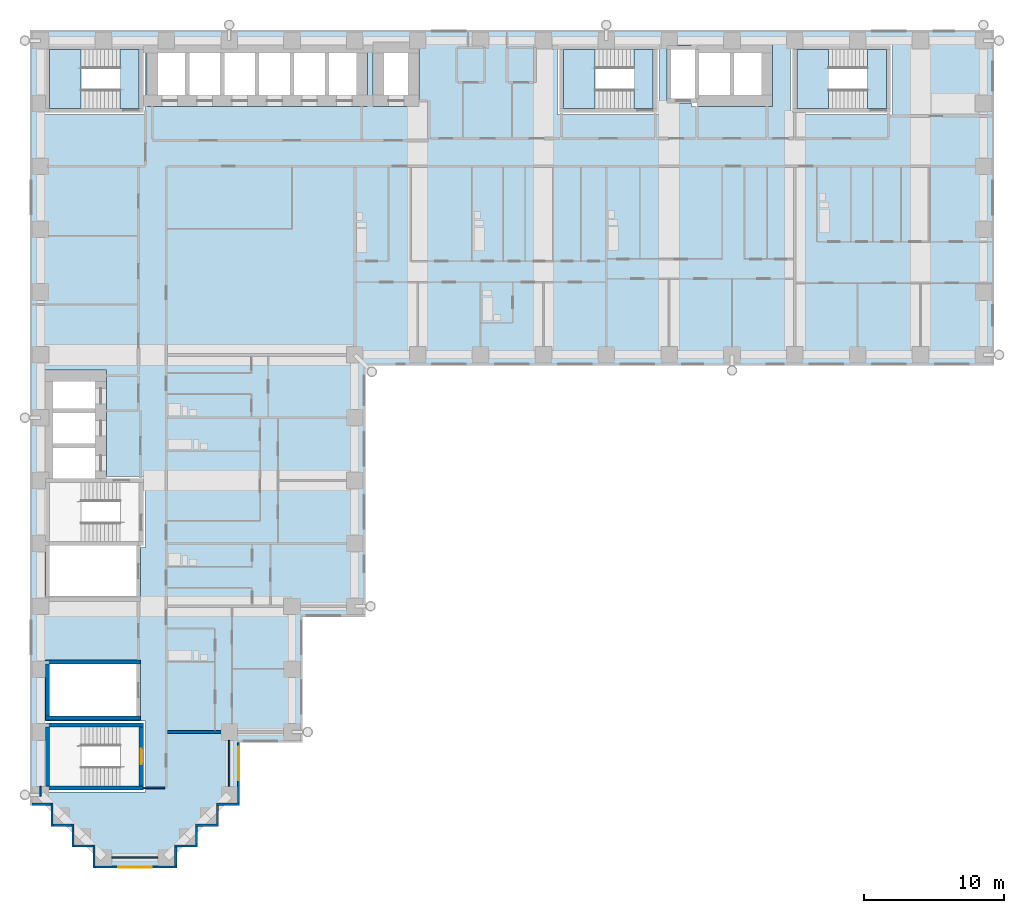
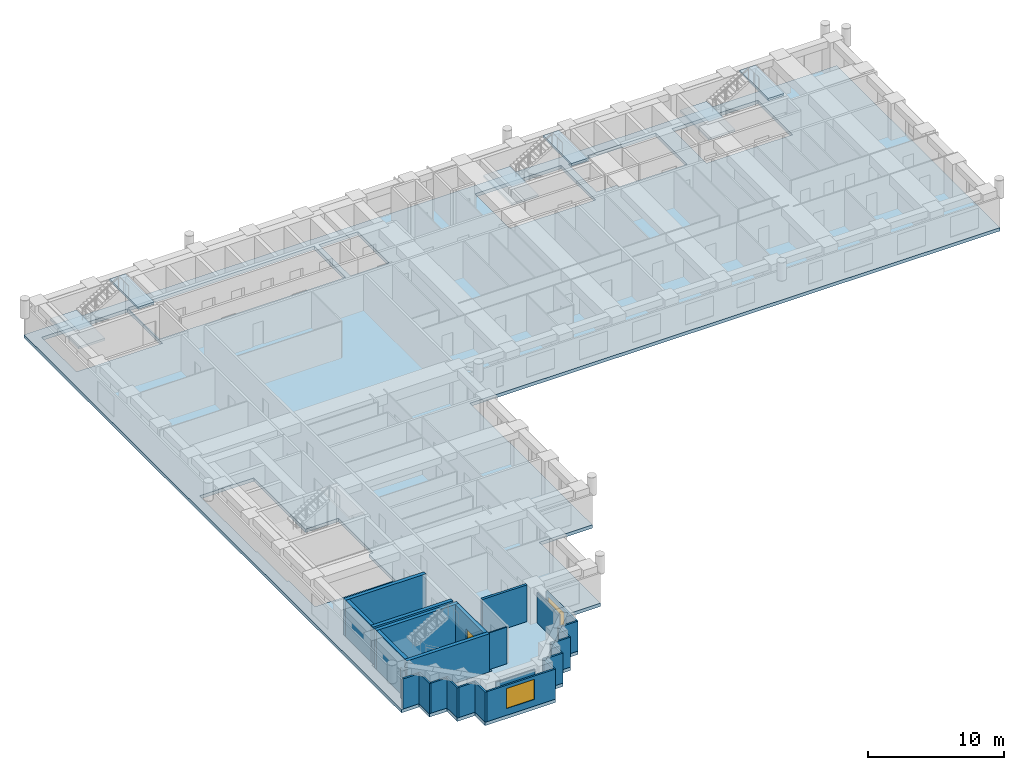
# One storey, part 4 of 14: 26 walls, 7 slabs, 2 windows, 1 door, 3 openings, 3 elements without a shape of their own.
"""IFC4 building model written with IfcOpenShell, lengths in metres."""

from ifc_helpers import new_model, si_unit, direction, frame, frame_2d, origin, place, context, subcontext, project, spatial, polyline, rectangle, outline, extrude, material, layer, layer_set, type_object, element, fill, aggregate, save


model = new_model("IFC4")

# Units and contexts
model_context = context("Model", 3, precision=1e-05, world=origin(), true_north=direction((0.0, 1.0)))
body_context = subcontext(model_context, "Body", "Model", "MODEL_VIEW")
ifc_project = project(units=[si_unit("LENGTHUNIT", "METRE"), si_unit("AREAUNIT", "SQUARE_METRE"), si_unit("VOLUMEUNIT", "CUBIC_METRE"), si_unit("PLANEANGLEUNIT", "RADIAN"), si_unit("MASSUNIT", "GRAM", prefix="KILO")], contexts=[model_context])

# Site, building, storey
site_placement = place(None, origin())
site = spatial("IfcSite", under=ifc_project, at=site_placement, CompositionType="ELEMENT")
building_placement = place(site_placement, origin())
building = spatial("IfcBuilding", under=site, at=building_placement, Name="Firuza Court", CompositionType="ELEMENT")
storey_placement = place(building_placement, frame((0.0, 0.0, 47.0)))
storey = spatial("IfcBuildingStorey", under=building, at=storey_placement, Name="L10", CompositionType="ELEMENT", Elevation=47.0)

# Slab
ifc_material_1 = material(Name="Concrete C40/50", Category="concrete")
ifc_layer_1 = layer(ifc_material_1, 0.300048828125)
ifc_layer_set_1 = layer_set([ifc_layer_1], Name="Concrete C40/50")
slab_type_1 = type_object("IfcSlabType", Name="Floor slab 300 C40/50", PredefinedType="FLOOR", material=ifc_layer_set_1)
slab_1_placement = place(storey_placement, frame((0.0, 0.0, -0.300048828125)))
element("IfcSlab", 1, at=slab_1_placement, inside=storey, type_object=slab_type_1, Name="Floor slab L10", PredefinedType="FLOOR", context=body_context, shape_type="SweptSolid", body=[
    extrude(outline(polyline([(3.75, -0.75), (3.75, 0.75), (2.25, 0.75), (2.25, 2.25), (0.75, 2.25), (0.75, 3.75), (-0.75, 3.75), (-0.75, 59.25), (68.25, 59.25), (68.25, 35.25), (23.25, 35.25), (23.25, 17.25), (18.75, 17.25), (18.75, 8.25), (14.25, 8.25), (14.25, 3.75), (12.75, 3.75), (12.75, 2.25), (11.25, 2.25), (11.25, 0.75), (9.75, 0.75), (9.75, -0.75), (3.75, -0.75)]), holes=[polyline([(7.5, 9.800048828125), (0.199951171875, 9.800048828125), (0.199951171875, 4.699951171875), (7.5, 4.699951171875), (7.5, 9.800048828125)]), polyline([(7.14990234375, 14.14990234375), (0.35009765625, 14.14990234375), (0.35009765625, 9.85009765625), (7.14990234375, 9.85009765625), (7.14990234375, 14.14990234375)]), polyline([(0.199951171875, 22.199951171875), (0.35009765625, 22.199951171875), (0.35009765625, 18.35009765625), (7.14990234375, 18.35009765625), (7.14990234375, 22.199951171875), (7.5, 22.199951171875), (7.5, 27.300048828125), (4.699951171875, 27.300048828125), (4.699951171875, 29.10009765625), (4.699951171875, 29.89990234375), (4.699951171875, 31.60009765625), (4.699951171875, 32.39990234375), (4.699951171875, 34.89990234375), (0.10009765625, 34.89990234375), (0.10009765625, 32.39990234375), (0.10009765625, 31.60009765625), (0.10009765625, 29.89990234375), (0.10009765625, 29.10009765625), (0.10009765625, 26.60009765625), (0.199951171875, 26.60009765625), (0.199951171875, 22.199951171875)]), polyline([(7.5, 58.300048828125), (0.199951171875, 58.300048828125), (0.199951171875, 53.199951171875), (7.5, 53.199951171875), (7.5, 58.300048828125)]), polyline([(10.10009765625, 58.39990234375), (7.60009765625, 58.39990234375), (7.60009765625, 53.800048828125), (10.10009765625, 53.800048828125), (10.89990234375, 53.800048828125), (12.60009765625, 53.800048828125), (13.39990234375, 53.800048828125), (15.10009765625, 53.800048828125), (15.89990234375, 53.800048828125), (17.60009765625, 53.800048828125), (18.39990234375, 53.800048828125), (20.10009765625, 53.800048828125), (20.89990234375, 53.800048828125), (23.39990234375, 53.800048828125), (23.39990234375, 58.39990234375), (20.89990234375, 58.39990234375), (20.10009765625, 58.39990234375), (18.39990234375, 58.39990234375), (17.60009765625, 58.39990234375), (15.89990234375, 58.39990234375), (15.10009765625, 58.39990234375), (13.39990234375, 58.39990234375), (12.60009765625, 58.39990234375), (10.89990234375, 58.39990234375), (10.10009765625, 58.39990234375)]), polyline([(44.300048828125, 58.300048828125), (37.0, 58.300048828125), (37.0, 53.199951171875), (44.300048828125, 53.199951171875), (44.300048828125, 58.300048828125)]), polyline([(61.0, 58.300048828125), (53.699951171875, 58.300048828125), (53.699951171875, 53.199951171875), (61.0, 53.199951171875), (61.0, 58.300048828125)]), polyline([(27.10009765625, 58.39990234375), (23.800048828125, 58.39990234375), (23.800048828125, 53.800048828125), (27.10009765625, 53.800048828125), (27.10009765625, 58.39990234375)]), polyline([(46.60009765625, 58.14990234375), (44.85009765625, 58.14990234375), (44.85009765625, 54.050048828125), (46.60009765625, 54.050048828125), (46.60009765625, 53.800048828125), (49.10009765625, 53.800048828125), (49.89990234375, 53.800048828125), (52.39990234375, 53.800048828125), (52.39990234375, 58.39990234375), (49.89990234375, 58.39990234375), (49.10009765625, 58.39990234375), (46.60009765625, 58.39990234375), (46.60009765625, 58.14990234375)])]), origin(), (0.0, 0.0, 1.0), 0.300048828125),
])

# Stair, slabs
ifc_material_2 = material(Name="Concrete C40/50 precast", Category="concrete")
stair_type = type_object("IfcStairType", Name="Stair 1350 x 3600 2 flights", PredefinedType="HALF_TURN_STAIR", material=ifc_material_2)
stair_1_placement = place(storey_placement, origin())
stair_1 = element("IfcStair", 2, at=stair_1_placement, inside=storey, type_object=stair_type, Name="Stair 1 L10", PredefinedType="HALF_TURN_STAIR")
ifc_material_3 = material(Name="Concrete C40/50 precast", Category="concrete")
ifc_layer_2 = layer(ifc_material_3, 0.199951171875)
ifc_layer_set_2 = layer_set([ifc_layer_2], Name="Concrete C40/50 precast")
slab_type_2 = type_object("IfcSlabType", Name="Stair landing 200", PredefinedType="LANDING", material=ifc_layer_set_2)
slab_2_placement = place(storey_placement, frame((0.0, 0.0, 1.60009765625)))
slab_2 = element("IfcSlab", 3, at=slab_2_placement, type_object=slab_type_2, Name="S1 landing 1", PredefinedType="LANDING", context=body_context, shape_type="SweptSolid", body=[
    extrude(outline(polyline([(39.699951171875, 53.64990234375), (39.699951171875, 57.85009765625), (37.449951171875, 57.85009765625), (37.449951171875, 53.64990234375), (39.699951171875, 53.64990234375)])), origin(), (0.0, 0.0, 1.0), 0.199951171875),
])
slab_3_placement = place(storey_placement, frame((0.0, 0.0, 3.39990234375)))
slab_3 = element("IfcSlab", 4, at=slab_3_placement, type_object=slab_type_2, Name="S1 landing 2", PredefinedType="LANDING", context=body_context, shape_type="SweptSolid", body=[
    extrude(outline(polyline([(43.85009765625, 53.64990234375), (43.85009765625, 57.85009765625), (42.5, 57.85009765625), (42.5, 53.64990234375), (43.85009765625, 53.64990234375)])), origin(), (0.0, 0.0, 1.0), 0.2001953125),
])
aggregate(stair_1, [slab_2, slab_3])

stair_2_placement = place(storey_placement, origin())
stair_2 = element("IfcStair", 5, at=stair_2_placement, inside=storey, type_object=stair_type, Name="Stair 3 L10", PredefinedType="HALF_TURN_STAIR")
slab_4_placement = place(storey_placement, frame((0.0, 0.0, 1.60009765625)))
slab_4 = element("IfcSlab", 6, at=slab_4_placement, type_object=slab_type_2, Name="S3 landing 1", PredefinedType="LANDING", context=body_context, shape_type="SweptSolid", body=[
    extrude(outline(polyline([(2.89990234375, 53.64990234375), (2.89990234375, 57.85009765625), (0.64990234375, 57.85009765625), (0.64990234375, 53.64990234375), (2.89990234375, 53.64990234375)])), origin(), (0.0, 0.0, 1.0), 0.199951171875),
])
slab_5_placement = place(storey_placement, frame((0.0, 0.0, 3.39990234375)))
slab_5 = element("IfcSlab", 7, at=slab_5_placement, type_object=slab_type_2, Name="S3 landing 2", PredefinedType="LANDING", context=body_context, shape_type="SweptSolid", body=[
    extrude(outline(polyline([(7.050048828125, 53.64990234375), (7.050048828125, 57.85009765625), (5.699951171875, 57.85009765625), (5.699951171875, 53.64990234375), (7.050048828125, 53.64990234375)])), origin(), (0.0, 0.0, 1.0), 0.2001953125),
])
aggregate(stair_2, [slab_4, slab_5])

stair_3_placement = place(storey_placement, origin())
stair_3 = element("IfcStair", 8, at=stair_3_placement, inside=storey, type_object=stair_type, Name="Stair 4 L10", PredefinedType="HALF_TURN_STAIR")
slab_6_placement = place(storey_placement, frame((0.0, 0.0, 1.60009765625)))
slab_6 = element("IfcSlab", 9, at=slab_6_placement, type_object=slab_type_2, Name="S4 landing 1", PredefinedType="LANDING", context=body_context, shape_type="SweptSolid", body=[
    extrude(outline(polyline([(56.39990234375, 53.64990234375), (56.39990234375, 57.85009765625), (54.14990234375, 57.85009765625), (54.14990234375, 53.64990234375), (56.39990234375, 53.64990234375)])), origin(), (0.0, 0.0, 1.0), 0.199951171875),
])
slab_7_placement = place(storey_placement, frame((0.0, 0.0, 3.39990234375)))
slab_7 = element("IfcSlab", 10, at=slab_7_placement, type_object=slab_type_2, Name="S4 landing 2", PredefinedType="LANDING", context=body_context, shape_type="SweptSolid", body=[
    extrude(outline(polyline([(60.550048828125, 53.64990234375), (60.550048828125, 57.85009765625), (59.199951171875, 57.85009765625), (59.199951171875, 53.64990234375), (60.550048828125, 53.64990234375)])), origin(), (0.0, 0.0, 1.0), 0.2001953125),
])
aggregate(stair_3, [slab_6, slab_7])

# Walls
ifc_material_4 = material(Name="Concrete C60/75", Category="concrete")
ifc_layer_3 = layer(ifc_material_4, 0.300048828125)
ifc_layer_set_3 = layer_set([ifc_layer_3], Name="Concrete C60/75")
wall_type_1 = type_object("IfcWallType", Name="Core wall 300 C60/75", PredefinedType="SHEAR", material=ifc_layer_set_3)
for number, where, z_axis, x_axis, name in (
    (11, (0.35009765625, 5.0, -0.300048828125), (0.0, 0.0, 1.0), (1.0, 0.0, 0.0), "Core wall stair L10"),
    (12, (0.35009765625, 9.5, -0.300048828125), (0.0, 0.0, 1.0), (1.0, 0.0, 0.0), "Core wall stair L10"),
):
    element("IfcWall", number, at=place(storey_placement, frame(where, z_axis=z_axis, x_axis=x_axis)), inside=storey, type_object=wall_type_1, Name=name, PredefinedType="SHEAR", context=body_context, shape_type="SweptSolid", body=[
        extrude(rectangle(XDim=7.0, YDim=0.300048828125, at=frame_2d((3.5, 0.0))), origin(), (0.0, 0.0, 1.0), 3.60009765625),
    ])
for number, where, z_axis, x_axis, name in (
    (13, (0.35009765625, 10.0, -0.300048828125), (0.0, 0.0, 1.0), (1.0, 0.0, 0.0), "Core wall riser L10"),
    (14, (0.35009765625, 14.0, -0.300048828125), (0.0, 0.0, 1.0), (1.0, 0.0, 0.0), "Core wall riser L10"),
):
    element("IfcWall", number, at=place(storey_placement, frame(where, z_axis=z_axis, x_axis=x_axis)), inside=storey, type_object=wall_type_1, Name=name, PredefinedType="SHEAR", context=body_context, shape_type="SweptSolid", body=[
        extrude(rectangle(XDim=6.7998046875, YDim=0.300048828125, at=frame_2d((3.39990234375, 0.0))), origin(), (0.0, 0.0, 1.0), 3.60009765625),
    ])
wall_1_placement = place(storey_placement, frame((0.5, 5.14990234375, -0.300048828125), z_axis=(0.0, 0.0, 1.0), x_axis=(0.0, 1.0, 0.0)))
element("IfcWall", 15, at=wall_1_placement, inside=storey, type_object=wall_type_1, Name="Core wall stair L10", PredefinedType="SHEAR", context=body_context, shape_type="SweptSolid", body=[
    extrude(rectangle(XDim=4.2001953125, YDim=0.300048828125, at=frame_2d((2.10009765625, 0.0))), origin(), (0.0, 0.0, 1.0), 3.60009765625),
])
wall_2_placement = place(storey_placement, frame((0.5, 10.14990234375, -0.300048828125), z_axis=(0.0, 0.0, 1.0), x_axis=(0.0, 1.0, 0.0)))
element("IfcWall", 16, at=wall_2_placement, inside=storey, type_object=wall_type_1, Name="Core wall riser L10", PredefinedType="SHEAR", context=body_context, shape_type="SweptSolid", body=[
    extrude(rectangle(XDim=3.7001953125, YDim=0.300048828125, at=frame_2d((1.85009765625, 0.0))), origin(), (0.0, 0.0, 1.0), 3.60009765625),
])

# Wall, opening, door
wall_3_placement = place(storey_placement, frame((7.199951171875, 5.14990234375, -0.300048828125), z_axis=(0.0, 0.0, 1.0), x_axis=(0.0, 1.0, 0.0)))
wall_3 = element("IfcWall", 17, at=wall_3_placement, inside=storey, type_object=wall_type_1, Name="Core wall stair L10", PredefinedType="SHEAR", context=body_context, shape_type="SweptSolid", body=[
    extrude(rectangle(XDim=4.2001953125, YDim=0.300048828125, at=frame_2d((2.10009765625, 0.0))), origin(), (0.0, 0.0, 1.0), 3.60009765625),
])
opening_1_placement = place(wall_3_placement, frame((1.550048828125, 0.0, 0.300048828125)))
opening_1 = element("IfcOpeningElement", 18, at=opening_1_placement, cuts=wall_3, Name="Opening D10018", PredefinedType="OPENING", context=body_context, shape_type="SweptSolid", body=[
    extrude(rectangle(XDim=1.10009765625, YDim=2.10009765625, at=frame_2d((0.550048828125, 1.050048828125))), frame((0.0, 0.162109375, 0.0), z_axis=(0.0, -1.0, 0.0), x_axis=(1.0, 0.0, 0.0)), (0.0, 0.0, 1.0), 0.323974609375),
])
ifc_material_5 = material(Name="Timber door leaf in hardwood frame", Category="wood")
door_type = type_object("IfcDoorType", Name="Stair door 1100", OperationType="SINGLE_SWING_LEFT", PredefinedType="DOOR", material=ifc_material_5)
door_placement = place(opening_1_placement, origin())
door = element("IfcDoor", 19, at=door_placement, inside=storey, type_object=door_type, Name="Stair door S5", OperationType="SINGLE_SWING_LEFT", OverallHeight=2.10009765625, OverallWidth=1.10009765625, PredefinedType="DOOR", context=body_context, shape_type="SweptSolid", body=[
    extrude(rectangle(XDim=1.10009765625, YDim=2.10009765625, at=frame_2d((0.550048828125, 1.050048828125))), frame((0.0, 0.02490234375, 0.0), z_axis=(0.0, -1.0, 0.0), x_axis=(1.0, 0.0, 0.0)), (0.0, 0.0, 1.0), 0.050048828125),
])
fill(opening_1, door)

# Walls
ifc_material_6 = material(Name="Timber stud partition, plasterboard both sides", Category="wood")
ifc_layer_4 = layer(ifc_material_6, 0.10009765625)
ifc_layer_set_4 = layer_set([ifc_layer_4], Name="Timber stud partition, plasterboard both sides")
wall_type_2 = type_object("IfcWallType", Name="Partition wall 100", PredefinedType="PARTITIONING", material=ifc_layer_set_4)
wall_4_placement = place(storey_placement, frame((5.10009765625, 0.0, 0.0), z_axis=(0.0, 0.0, 1.0), x_axis=(1.0, 0.0, 0.0)))
element("IfcWall", 20, at=wall_4_placement, inside=storey, type_object=wall_type_2, Name="Partition wall 100 L10", PredefinedType="PARTITIONING", context=body_context, shape_type="SweptSolid", body=[
    extrude(rectangle(XDim=3.2998046875, YDim=0.10009765625, at=frame_2d((1.64990234375, 0.0))), origin(), (0.0, 0.0, 1.0), 2.699951171875),
])
wall_5_placement = place(storey_placement, frame((0.0, 4.39990234375, 0.0), z_axis=(0.0, 0.0, 1.0), x_axis=(0.0, 1.0, 0.0)))
element("IfcWall", 21, at=wall_5_placement, inside=storey, type_object=wall_type_2, Name="Partition wall 100 L10", PredefinedType="PARTITIONING", context=body_context, shape_type="SweptSolid", body=[
    extrude(rectangle(XDim=0.7001953125, YDim=0.10009765625, at=frame_2d((0.35009765625, 0.0))), origin(), (0.0, 0.0, 1.0), 2.699951171875),
])
wall_6_placement = place(storey_placement, frame((7.34912109375, 5.0, 0.0), z_axis=(0.0, 0.0, 1.0), x_axis=(1.0, 0.0, 0.0)))
element("IfcWall", 22, at=wall_6_placement, inside=storey, type_object=wall_type_2, Name="Partition wall 100 L10", PredefinedType="PARTITIONING", context=body_context, shape_type="SweptSolid", body=[
    extrude(rectangle(XDim=1.55078125, YDim=0.10009765625, at=frame_2d((0.775390625, 0.0))), origin(), (0.0, 0.0, 1.0), 3.300048828125),
])
wall_7_placement = place(storey_placement, frame((13.5, 5.10009765625, 0.0), z_axis=(0.0, 0.0, 1.0), x_axis=(0.0, 1.0, 0.0)))
element("IfcWall", 23, at=wall_7_placement, inside=storey, type_object=wall_type_2, Name="Partition wall 100 L10", PredefinedType="PARTITIONING", context=body_context, shape_type="SweptSolid", body=[
    extrude(rectangle(XDim=3.2998046875, YDim=0.10009765625, at=frame_2d((1.64990234375, 0.0))), origin(), (0.0, 0.0, 1.0), 2.699951171875),
])
ifc_material_7 = material(Name="Blockwork, plastered both sides", Category="masonry")
ifc_layer_5 = layer(ifc_material_7, 0.199951171875)
ifc_layer_set_5 = layer_set([ifc_layer_5], Name="Blockwork, plastered both sides")
wall_type_3 = type_object("IfcWallType", Name="Party wall 200", PredefinedType="PARTITIONING", material=ifc_layer_set_5)
wall_8_placement = place(storey_placement, frame((9.10009765625, 9.0, 0.0), z_axis=(0.0, 0.0, 1.0), x_axis=(1.0, 0.0, 0.0)))
element("IfcWall", 24, at=wall_8_placement, inside=storey, type_object=wall_type_3, Name="Party wall 200 L10", PredefinedType="PARTITIONING", context=body_context, shape_type="SweptSolid", body=[
    extrude(rectangle(XDim=3.7998046875, YDim=0.199951171875, at=frame_2d((1.89990234375, 0.0))), origin(), (0.0, 0.0, 1.0), 3.300048828125),
])
ifc_material_8 = material(Name="Ceramic tile", Category="ceramic")
ifc_layer_6 = layer(ifc_material_8, 0.02001953125)
ifc_material_9 = material(Name="Mineral wool insulation", Category="insulation")
ifc_layer_7 = layer(ifc_material_9, 0.050048828125)
ifc_layer_8 = layer(ifc_material_3, 0.080078125)
ifc_layer_set_6 = layer_set([ifc_layer_6, ifc_layer_7, ifc_layer_8], Name="Concrete C40/50 precast")
wall_type_4 = type_object("IfcWallType", Name="Precast cladding wall with turquoise TILE PANEL face 150", PredefinedType="STANDARD", material=ifc_layer_set_6)
wall_9_placement = place(storey_placement, frame((9.675048828125, -0.60009765625, 0.0), z_axis=(0.0, 0.0, 1.0), x_axis=(0.0, 1.0, 0.0)))
element("IfcWall", 25, at=wall_9_placement, inside=storey, type_object=wall_type_4, Name="Facade wall L10 E", PredefinedType="STANDARD", context=body_context, shape_type="SweptSolid", body=[
    extrude(rectangle(XDim=1.35009765625, YDim=0.14990234375, at=frame_2d((0.675048828125, 0.0))), origin(), (0.0, 0.0, 1.0), 2.699951171875),
])
wall_10_placement = place(storey_placement, frame((9.60009765625, 0.824951171875, 0.0), z_axis=(0.0, 0.0, 1.0), x_axis=(1.0, 0.0, 0.0)))
element("IfcWall", 26, at=wall_10_placement, inside=storey, type_object=wall_type_4, Name="Facade wall L10 S", PredefinedType="STANDARD", context=body_context, shape_type="SweptSolid", body=[
    extrude(rectangle(XDim=1.64990234375, YDim=0.14990234375, at=frame_2d((0.824951171875, 0.0))), origin(), (0.0, 0.0, 1.0), 2.699951171875),
])
wall_11_placement = place(storey_placement, frame((11.175048828125, 0.89990234375, 0.0), z_axis=(0.0, 0.0, 1.0), x_axis=(0.0, 1.0, 0.0)))
element("IfcWall", 27, at=wall_11_placement, inside=storey, type_object=wall_type_4, Name="Facade wall L10 E", PredefinedType="STANDARD", context=body_context, shape_type="SweptSolid", body=[
    extrude(rectangle(XDim=1.35009765625, YDim=0.14990234375, at=frame_2d((0.675048828125, 0.0))), origin(), (0.0, 0.0, 1.0), 2.699951171875),
])
wall_12_placement = place(storey_placement, frame((11.10009765625, 2.324951171875, 0.0), z_axis=(0.0, 0.0, 1.0), x_axis=(1.0, 0.0, 0.0)))
element("IfcWall", 28, at=wall_12_placement, inside=storey, type_object=wall_type_4, Name="Facade wall L10 S", PredefinedType="STANDARD", context=body_context, shape_type="SweptSolid", body=[
    extrude(rectangle(XDim=1.64990234375, YDim=0.14990234375, at=frame_2d((0.824951171875, 0.0))), origin(), (0.0, 0.0, 1.0), 2.699951171875),
])
wall_13_placement = place(storey_placement, frame((12.675048828125, 2.39990234375, 0.0), z_axis=(0.0, 0.0, 1.0), x_axis=(0.0, 1.0, 0.0)))
element("IfcWall", 29, at=wall_13_placement, inside=storey, type_object=wall_type_4, Name="Facade wall L10 E", PredefinedType="STANDARD", context=body_context, shape_type="SweptSolid", body=[
    extrude(rectangle(XDim=1.35009765625, YDim=0.14990234375, at=frame_2d((0.675048828125, 0.0))), origin(), (0.0, 0.0, 1.0), 2.699951171875),
])
wall_14_placement = place(storey_placement, frame((12.60009765625, 3.824951171875, 0.0), z_axis=(0.0, 0.0, 1.0), x_axis=(1.0, 0.0, 0.0)))
element("IfcWall", 30, at=wall_14_placement, inside=storey, type_object=wall_type_4, Name="Facade wall L10 S", PredefinedType="STANDARD", context=body_context, shape_type="SweptSolid", body=[
    extrude(rectangle(XDim=1.64990234375, YDim=0.14990234375, at=frame_2d((0.824951171875, 0.0))), origin(), (0.0, 0.0, 1.0), 2.699951171875),
])

# Wall, opening, window
wall_15_placement = place(storey_placement, frame((14.175048828125, 3.89990234375, 0.0), z_axis=(0.0, 0.0, 1.0), x_axis=(0.0, 1.0, 0.0)))
wall_15 = element("IfcWall", 31, at=wall_15_placement, inside=storey, type_object=wall_type_4, Name="Facade wall L10 E", PredefinedType="STANDARD", context=body_context, shape_type="SweptSolid", body=[
    extrude(rectangle(XDim=4.35009765625, YDim=0.14990234375, at=frame_2d((2.175048828125, 0.0))), origin(), (0.0, 0.0, 1.0), 2.699951171875),
])
opening_2_placement = place(wall_15_placement, frame((1.64990234375, 0.0, 0.60009765625)))
opening_2 = element("IfcOpeningElement", 32, at=opening_2_placement, cuts=wall_15, Name="Opening W1", PredefinedType="OPENING", context=body_context, shape_type="SweptSolid", body=[
    extrude(rectangle(XDim=2.39990234375, YDim=1.800048828125, at=frame_2d((1.199951171875, 0.89990234375))), frame((0.0, 0.0869140625, 0.0), z_axis=(0.0, -1.0, 0.0), x_axis=(1.0, 0.0, 0.0)), (0.0, 0.0, 1.0), 0.173828125),
])
ifc_material_10 = material(Name="Aluminium frame, triple clear glazing", Category="aluminium")
window_type = type_object("IfcWindowType", Name="Window W1 2400 x 1800", PartitioningType="SINGLE_PANEL", PredefinedType="WINDOW", material=ifc_material_10)
window_1_placement = place(opening_2_placement, origin())
window_1 = element("IfcWindow", 33, at=window_1_placement, inside=storey, type_object=window_type, Name="Window L10", OverallHeight=1.800048828125, OverallWidth=2.39990234375, PartitioningType="SINGLE_PANEL", PredefinedType="WINDOW", context=body_context, shape_type="SweptSolid", body=[
    extrude(rectangle(XDim=2.39990234375, YDim=1.800048828125, at=frame_2d((1.199951171875, 0.89990234375))), frame((0.0, 0.030029296875, 0.0), z_axis=(0.0, -1.0, 0.0), x_axis=(1.0, 0.0, 0.0)), (0.0, 0.0, 1.0), 0.06005859375),
])
fill(opening_2, window_1)

# Walls
wall_16_placement = place(storey_placement, frame((-0.60009765625, 3.824951171875, 0.0), z_axis=(0.0, 0.0, 1.0), x_axis=(1.0, 0.0, 0.0)))
element("IfcWall", 34, at=wall_16_placement, inside=storey, type_object=wall_type_4, Name="Facade wall L10 S", PredefinedType="STANDARD", context=body_context, shape_type="SweptSolid", body=[
    extrude(rectangle(XDim=1.35009765625, YDim=0.14990234375, at=frame_2d((0.675048828125, 0.0))), origin(), (0.0, 0.0, 1.0), 2.699951171875),
])
wall_17_placement = place(storey_placement, frame((0.824951171875, 3.89990234375, 0.0), z_axis=(0.0, 0.0, 1.0), x_axis=(0.0, -1.0, 0.0)))
element("IfcWall", 35, at=wall_17_placement, inside=storey, type_object=wall_type_4, Name="Facade wall L10 W", PredefinedType="STANDARD", context=body_context, shape_type="SweptSolid", body=[
    extrude(rectangle(XDim=1.64990234375, YDim=0.14990234375, at=frame_2d((0.824951171875, 0.0))), origin(), (0.0, 0.0, 1.0), 2.699951171875),
])
wall_18_placement = place(storey_placement, frame((0.89990234375, 2.324951171875, 0.0), z_axis=(0.0, 0.0, 1.0), x_axis=(1.0, 0.0, 0.0)))
element("IfcWall", 36, at=wall_18_placement, inside=storey, type_object=wall_type_4, Name="Facade wall L10 S", PredefinedType="STANDARD", context=body_context, shape_type="SweptSolid", body=[
    extrude(rectangle(XDim=1.35009765625, YDim=0.14990234375, at=frame_2d((0.675048828125, 0.0))), origin(), (0.0, 0.0, 1.0), 2.699951171875),
])
wall_19_placement = place(storey_placement, frame((2.324951171875, 2.39990234375, 0.0), z_axis=(0.0, 0.0, 1.0), x_axis=(0.0, -1.0, 0.0)))
element("IfcWall", 37, at=wall_19_placement, inside=storey, type_object=wall_type_4, Name="Facade wall L10 W", PredefinedType="STANDARD", context=body_context, shape_type="SweptSolid", body=[
    extrude(rectangle(XDim=1.64990234375, YDim=0.14990234375, at=frame_2d((0.824951171875, 0.0))), origin(), (0.0, 0.0, 1.0), 2.699951171875),
])
wall_20_placement = place(storey_placement, frame((2.39990234375, 0.824951171875, 0.0), z_axis=(0.0, 0.0, 1.0), x_axis=(1.0, 0.0, 0.0)))
element("IfcWall", 38, at=wall_20_placement, inside=storey, type_object=wall_type_4, Name="Facade wall L10 S", PredefinedType="STANDARD", context=body_context, shape_type="SweptSolid", body=[
    extrude(rectangle(XDim=1.35009765625, YDim=0.14990234375, at=frame_2d((0.675048828125, 0.0))), origin(), (0.0, 0.0, 1.0), 2.699951171875),
])
wall_21_placement = place(storey_placement, frame((3.824951171875, 0.89990234375, 0.0), z_axis=(0.0, 0.0, 1.0), x_axis=(0.0, -1.0, 0.0)))
element("IfcWall", 39, at=wall_21_placement, inside=storey, type_object=wall_type_4, Name="Facade wall L10 W", PredefinedType="STANDARD", context=body_context, shape_type="SweptSolid", body=[
    extrude(rectangle(XDim=1.64990234375, YDim=0.14990234375, at=frame_2d((0.824951171875, 0.0))), origin(), (0.0, 0.0, 1.0), 2.699951171875),
])

# Wall, opening, window
wall_22_placement = place(storey_placement, frame((3.89990234375, -0.675048828125, 0.0), z_axis=(0.0, 0.0, 1.0), x_axis=(1.0, 0.0, 0.0)))
wall_22 = element("IfcWall", 40, at=wall_22_placement, inside=storey, type_object=wall_type_4, Name="Facade wall L10 S", PredefinedType="STANDARD", context=body_context, shape_type="SweptSolid", body=[
    extrude(rectangle(XDim=5.85009765625, YDim=0.14990234375, at=frame_2d((2.925048828125, 0.0))), origin(), (0.0, 0.0, 1.0), 2.699951171875),
])
opening_3_placement = place(wall_22_placement, frame((1.64990234375, 0.0, 0.60009765625)))
opening_3 = element("IfcOpeningElement", 41, at=opening_3_placement, cuts=wall_22, Name="Opening W1", PredefinedType="OPENING", context=body_context, shape_type="SweptSolid", body=[
    extrude(rectangle(XDim=2.39990234375, YDim=1.800048828125, at=frame_2d((1.199951171875, 0.89990234375))), frame((0.0, 0.0869140625, 0.0), z_axis=(0.0, -1.0, 0.0), x_axis=(1.0, 0.0, 0.0)), (0.0, 0.0, 1.0), 0.173828125),
])
window_2_placement = place(opening_3_placement, origin())
window_2 = element("IfcWindow", 42, at=window_2_placement, inside=storey, type_object=window_type, Name="Window L10", OverallHeight=1.800048828125, OverallWidth=2.39990234375, PartitioningType="SINGLE_PANEL", PredefinedType="WINDOW", context=body_context, shape_type="SweptSolid", body=[
    extrude(rectangle(XDim=2.39990234375, YDim=1.800048828125, at=frame_2d((1.199951171875, 0.89990234375))), frame((0.0, 0.030029296875, 0.0), z_axis=(0.0, -1.0, 0.0), x_axis=(1.0, 0.0, 0.0)), (0.0, 0.0, 1.0), 0.06005859375),
])
fill(opening_3, window_2)

save(model, "model.ifc")
